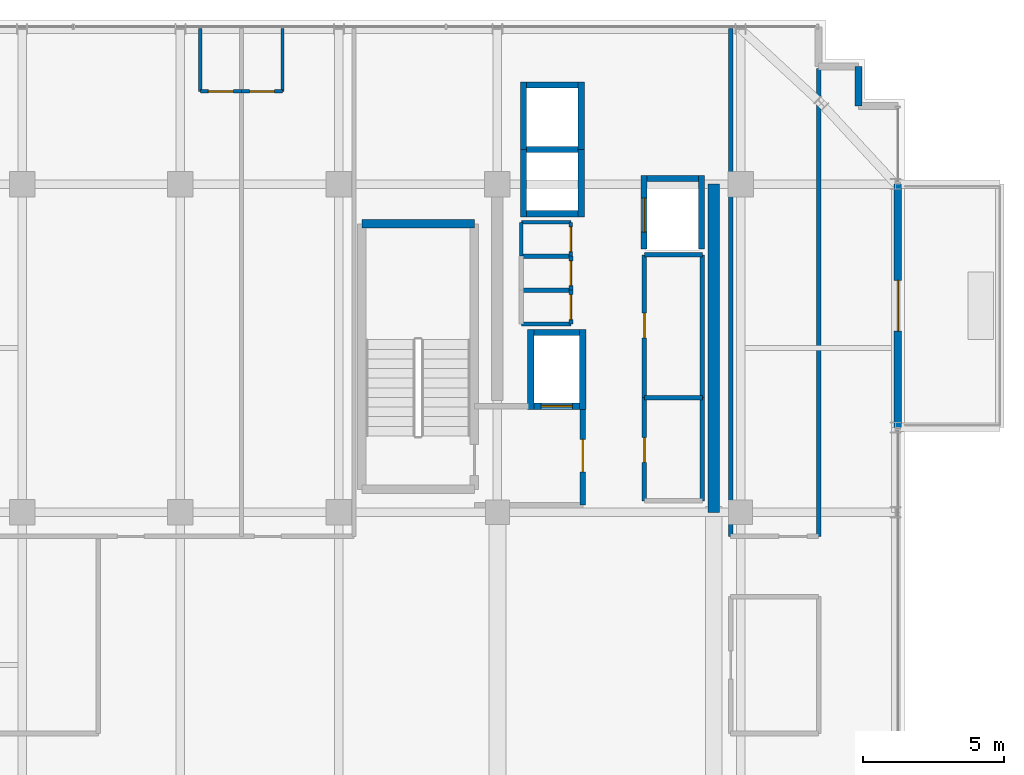
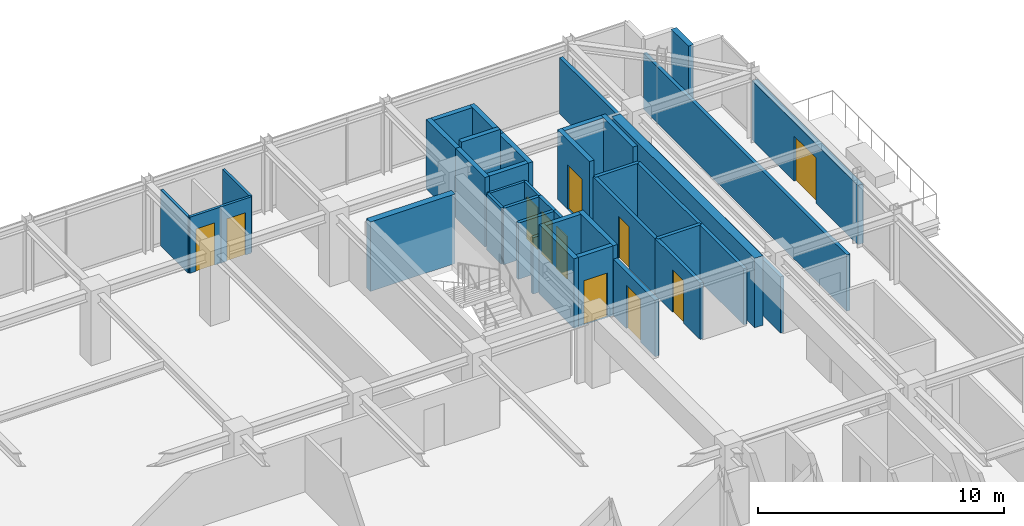
# One storey, part 29 of 33: 39 walls, 11 doors, 11 openings.
"""IFC4 building model written with IfcOpenShell, lengths in metres."""

import ifcopenshell
import ifcopenshell.guid

model = None  # the IFC model being written
_history = None  # IfcOwnerHistory: only IFC2X3 demands one
_inside = {}  # id of a spatial element -> (the spatial element, [elements in it])
_under = {}  # id of a project, library or spatial element -> (it, [spatial elements below it])
_declared = {}  # id of a project -> (the project, [libraries it declares])
_typed = {}  # id of a type object -> (the type object, [elements of that type])
_made_of = {}  # id of a material, layer set ... -> (it, [elements and type objects made of it])


def new_model(schema):
    """Start an empty IFC model of exactly this schema.

    Asked for "IFC4X3", IfcOpenShell would pick the latest addendum, in which some entities
    have other attributes; the version numbers below select the first issue.
    IFC2X3 requires an IfcOwnerHistory on every rooted entity: one is made here for all.
    """
    global model, _history
    if schema == "IFC4X3":
        model = ifcopenshell.file(schema_version=(4, 3, 0, 0))
    else:
        model = ifcopenshell.file(schema=schema)
    _inside.clear()
    _under.clear()
    _declared.clear()
    _typed.clear()
    _made_of.clear()
    _history = None
    if model.schema == "IFC2X3":
        org = make("IfcOrganization", Name="unknown")
        user = make(
            "IfcPersonAndOrganization",
            ThePerson=make("IfcPerson", FamilyName="unknown"),
            TheOrganization=org,
        )
        app = make(
            "IfcApplication",
            ApplicationDeveloper=org,
            Version="unknown",
            ApplicationFullName="unknown",
            ApplicationIdentifier="unknown",
        )
        _history = make(
            "IfcOwnerHistory",
            OwningUser=user,
            OwningApplication=app,
            ChangeAction="ADDED",
            CreationDate=0,
        )
    return model


def make(cls, **values):
    """One entity of the class cls with the attributes given. An attribute that is None is left unset."""
    return model.create_entity(
        cls, **{name: value for name, value in values.items() if value is not None}
    )


def rooted(cls, **values):
    """An entity with a GlobalId (a new one), such as an element, a storey or a relation."""
    return make(cls, GlobalId=ifcopenshell.guid.new(), OwnerHistory=_history, **values)


def si_unit(unit_type, name, prefix=None):
    """IfcSIUnit, for example si_unit("LENGTHUNIT", "METRE", prefix="MILLI")."""
    return make("IfcSIUnit", UnitType=unit_type, Prefix=prefix, Name=name)


def assignment(units):
    """IfcUnitAssignment: the units of a project."""
    return None if units is None else make("IfcUnitAssignment", Units=units)


def point(xyz):
    """IfcCartesianPoint."""
    return None if xyz is None else make("IfcCartesianPoint", Coordinates=xyz)


def direction(xyz):
    """IfcDirection."""
    return None if xyz is None else make("IfcDirection", DirectionRatios=xyz)


def frame(location, z_axis=None, x_axis=None):
    """IfcAxis2Placement3D, a coordinate frame: its origin and axes. An axis left out is left unset."""
    return make(
        "IfcAxis2Placement3D",
        Location=point(location),
        Axis=direction(z_axis),
        RefDirection=direction(x_axis),
    )


def frame_2d(location, x_axis=None):
    """IfcAxis2Placement2D, a coordinate frame in the plane: its origin and x axis."""
    return make(
        "IfcAxis2Placement2D", Location=point(location), RefDirection=direction(x_axis)
    )


def origin():
    """The frame at (0, 0, 0) with its axes left unset."""
    return frame((0.0, 0.0, 0.0))


def place(relative_to, where):
    """IfcLocalPlacement: puts the frame where relative to a parent placement (None: the world)."""
    return make(
        "IfcLocalPlacement", PlacementRelTo=relative_to, RelativePlacement=where
    )


def context(
    kind, dimensions, precision=None, world=None, true_north=None, identifier=None
):
    """IfcGeometricRepresentationContext, for example the 3D "Model" context."""
    return make(
        "IfcGeometricRepresentationContext",
        ContextIdentifier=identifier,
        ContextType=kind,
        CoordinateSpaceDimension=dimensions,
        Precision=precision,
        WorldCoordinateSystem=world,
        TrueNorth=true_north,
    )


def subcontext(parent, identifier, kind, view, scale=None):
    """IfcGeometricRepresentationSubContext, for example "Body" below "Model"."""
    return make(
        "IfcGeometricRepresentationSubContext",
        ContextIdentifier=identifier,
        ContextType=kind,
        ParentContext=parent,
        TargetScale=scale,
        TargetView=view,
    )


def project(units=None, contexts=None):
    """IfcProject with its units and contexts."""
    return rooted(
        "IfcProject",
        Name="project",
        RepresentationContexts=contexts,
        UnitsInContext=assignment(units),
    )


def spatial(cls, under=None, at=None, **own):
    """A site, building, storey or space (cls), placed at a placement, below another one or the project."""
    s = rooted(cls, ObjectPlacement=at, **own)
    if under is not None:
        _under.setdefault(under.id(), (under, []))[1].append(s)
    return s


def profile(cls, at=None, kind="AREA", **sizes):
    """A parametric profile (cls). Its sizes go by their IFC names, for example OverallWidth=200.0."""
    return make(cls, ProfileType=kind, Position=at, **sizes)


def rectangle(**sizes):
    """IfcRectangleProfileDef."""
    return profile("IfcRectangleProfileDef", **sizes)


def extrude(swept, where, along, depth):
    """IfcExtrudedAreaSolid: the profile swept, set in the frame where, extruded along a direction by depth."""
    return make(
        "IfcExtrudedAreaSolid",
        SweptArea=swept,
        Position=where,
        ExtrudedDirection=direction(along),
        Depth=depth,
    )


def shape(context_of_items, identifier, shape_type, items):
    """IfcShapeRepresentation: the items that make up one representation, for example the "Body"."""
    return make(
        "IfcShapeRepresentation",
        ContextOfItems=context_of_items,
        RepresentationIdentifier=identifier,
        RepresentationType=shape_type,
        Items=items,
    )


def source(mapping_origin, context_of_items, identifier, shape_type, items):
    """IfcRepresentationMap: a shape defined once, which mapped items show again and again."""
    return make(
        "IfcRepresentationMap",
        MappingOrigin=mapping_origin,
        MappedRepresentation=shape(context_of_items, identifier, shape_type, items),
    )


def transform(
    local_origin,
    x_axis=None,
    y_axis=None,
    z_axis=None,
    scale=None,
    scale2=None,
    scale3=None,
    uniform=True,
):
    """IfcCartesianTransformationOperator3D, or its non-uniform kind. x_axis, y_axis, z_axis: its Axis1, 2, 3."""
    if uniform:
        return make(
            "IfcCartesianTransformationOperator3D",
            Axis1=direction(x_axis),
            Axis2=direction(y_axis),
            LocalOrigin=point(local_origin),
            Scale=scale,
            Axis3=direction(z_axis),
        )
    return make(
        "IfcCartesianTransformationOperator3DnonUniform",
        Axis1=direction(x_axis),
        Axis2=direction(y_axis),
        LocalOrigin=point(local_origin),
        Scale=scale,
        Axis3=direction(z_axis),
        Scale2=scale2,
        Scale3=scale3,
    )


def mapped(mapping_source, mapping_target):
    """IfcMappedItem: shows the shape of a source again, moved by a transform."""
    return make(
        "IfcMappedItem", MappingSource=mapping_source, MappingTarget=mapping_target
    )


def material(Name=None, Category=None):
    """IfcMaterial."""
    return make("IfcMaterial", Name=Name, Category=Category)


def layer(
    of_material, thickness, ventilated=None, Name=None, Category=None, Priority=None
):
    """IfcMaterialLayer: one layer of a wall or slab, of a material (None: an air gap)."""
    return make(
        "IfcMaterialLayer",
        Material=of_material,
        LayerThickness=thickness,
        IsVentilated=ventilated,
        Name=Name,
        Category=Category,
        Priority=Priority,
    )


def layer_set(layers, Name=None):
    """IfcMaterialLayerSet."""
    return make("IfcMaterialLayerSet", MaterialLayers=layers, LayerSetName=Name)


def made_of(thing, what):
    """Note that an element or type object is made of a material, layer set ...; save() writes the relation."""
    if what is not None:
        _made_of.setdefault(what.id(), (what, []))[1].append(thing)
    return thing


def type_object(cls, material=None, **own):
    """A type object (cls), such as IfcWallType, which elements share."""
    return made_of(rooted(cls, **own), material)


def element(
    cls,
    number,
    at=None,
    inside=None,
    cuts=None,
    type_object=None,
    material=None,
    context=None,
    identifier="Body",
    shape_type=None,
    held_by="IfcProductDefinitionShape",
    body=None,
    shapes=None,
    **own,
):
    """One element of the class cls, such as IfcWall. Its Tag is "e" and its number.

    at: its placement. inside: the storey or other place that contains it. cuts: it is an
    opening in that element (IfcRelVoidsElement). A single representation is given by context,
    identifier, shape_type and body (its items); several are given by shapes. held_by: the class
    of the entity that holds the representations. save() writes the other relations.
    """
    e = rooted(cls, Tag="e%d" % number, ObjectPlacement=at, **own)
    if body is not None:
        shapes = [shape(context, identifier, shape_type, body)]
    if shapes is not None:
        e.Representation = make(held_by, Representations=shapes)
    if inside is not None:
        _inside.setdefault(inside.id(), (inside, []))[1].append(e)
    if cuts is not None:
        rooted(
            "IfcRelVoidsElement", RelatingBuildingElement=cuts, RelatedOpeningElement=e
        )
    if type_object is not None:
        _typed.setdefault(type_object.id(), (type_object, []))[1].append(e)
    return made_of(e, material)


def fill(opening, filler):
    """IfcRelFillsElement: the door or window that sits in an opening."""
    return rooted(
        "IfcRelFillsElement",
        RelatingOpeningElement=opening,
        RelatedBuildingElement=filler,
    )


def aggregate(whole, parts):
    """IfcRelAggregates: a whole, such as a stair, and the parts it consists of."""
    return rooted("IfcRelAggregates", RelatingObject=whole, RelatedObjects=parts)


def save(model, path):
    """Write the relations noted so far, then the file.

    IfcRelAggregates (storeys below a building ...), IfcRelContainedInSpatialStructure (elements
    in a storey), IfcRelDefinesByType, IfcRelAssociatesMaterial and IfcRelDeclares: one each for
    every whole, place, type object, material and project.
    """
    for whole, parts in _under.values():
        aggregate(whole, parts)
    for where, things in _inside.values():
        rooted(
            "IfcRelContainedInSpatialStructure",
            RelatedElements=things,
            RelatingStructure=where,
        )
    for kind, things in _typed.values():
        rooted("IfcRelDefinesByType", RelatedObjects=things, RelatingType=kind)
    for what, things in _made_of.values():
        rooted("IfcRelAssociatesMaterial", RelatedObjects=things, RelatingMaterial=what)
    for by, libraries in _declared.values():
        rooted("IfcRelDeclares", RelatingContext=by, RelatedDefinitions=libraries)
    model.write(path)


model = new_model("IFC4")

# Units and contexts
model_context = context("Model", 3, precision=1e-05, world=origin(), true_north=direction((0.0, 1.0)))
body_context = subcontext(model_context, "Body", "Model", "MODEL_VIEW")
ifc_project = project(units=[si_unit("LENGTHUNIT", "METRE"), si_unit("AREAUNIT", "SQUARE_METRE"), si_unit("VOLUMEUNIT", "CUBIC_METRE"), si_unit("PLANEANGLEUNIT", "RADIAN"), si_unit("MASSUNIT", "GRAM", prefix="KILO")], contexts=[model_context])

# Site, building, storey
site_placement = place(None, origin())
site = spatial("IfcSite", under=ifc_project, at=site_placement, CompositionType="ELEMENT")
building_placement = place(site_placement, origin())
building = spatial("IfcBuilding", under=site, at=building_placement, Name="Nahalor Promenade Grand Hotel", CompositionType="ELEMENT")
storey_placement = place(building_placement, frame((0.0, 0.0, 270.050048828125)))
storey = spatial("IfcBuildingStorey", under=building, at=storey_placement, Name="L69", CompositionType="ELEMENT", Elevation=270.050048828125)

# Walls
ifc_material_1 = material(Name="Concrete B-50 (C40/50)", Category="concrete")
ifc_layer_1 = layer(ifc_material_1, 0.39990234375)
ifc_layer_set_1 = layer_set([ifc_layer_1], Name="Concrete B-50 (C40/50)")
wall_type_1 = type_object("IfcWallType", Name="Wall-CoreShear-400", PredefinedType="SHEAR", material=ifc_layer_set_1)
shared_shape_1 = source(origin(), body_context, "Body", "SweptSolid", [
    extrude(rectangle(XDim=11.60009765625, YDim=0.39990234375, at=frame_2d((5.800048828125, 0.0))), origin(), (0.0, 0.0, 1.0), 3.449951171875),
])
wall_1_placement = place(storey_placement, frame((16.050048828125, 5.39990234375, 0.0), z_axis=(0.0, 0.0, 1.0), x_axis=(0.0, 1.0, 0.0)))
element("IfcWall", 1, at=wall_1_placement, inside=storey, type_object=wall_type_1, Name="CWALL-L69-NE", PredefinedType="SHEAR", context=body_context, shape_type="MappedRepresentation", body=[
    mapped(shared_shape_1, transform((0.0, 0.0, 0.0), scale=1.0)),
])
ifc_layer_2 = layer(ifc_material_1, 0.300048828125)
ifc_layer_set_2 = layer_set([ifc_layer_2], Name="Concrete B-50 (C40/50)")
wall_type_2 = type_object("IfcWallType", Name="Wall-ShaftShear-300", PredefinedType="SHEAR", material=ifc_layer_set_2)
shared_shape_2 = source(origin(), body_context, "Body", "SweptSolid", [
    extrude(rectangle(XDim=3.97998046875, YDim=0.300048828125, at=frame_2d((1.989990234375, 0.0))), origin(), (0.0, 0.0, 1.0), 3.449951171875),
])
wall_2_placement = place(storey_placement, frame((3.610107421875, 15.590087890625, 0.0), z_axis=(0.0, 0.0, 1.0), x_axis=(1.0, 0.0, 0.0)))
element("IfcWall", 2, at=wall_2_placement, inside=storey, type_object=wall_type_2, Name="L69 Exit Stair ST1 Shaft Wall N", PredefinedType="SHEAR", context=body_context, shape_type="MappedRepresentation", body=[
    mapped(shared_shape_2, transform((0.0, 0.0, 0.0), scale=1.0)),
])
ifc_layer_3 = layer(ifc_material_1, 0.219970703125)
ifc_layer_set_3 = layer_set([ifc_layer_3], Name="Concrete B-50 (C40/50)")
wall_type_3 = type_object("IfcWallType", Name="Wall-LiftShaft-220", PredefinedType="SHEAR", material=ifc_layer_set_3)
shared_shape_3 = source(origin(), body_context, "Body", "SweptSolid", [
    extrude(rectangle(XDim=1.820068359375, YDim=0.219970703125, at=frame_2d((0.91015625, 0.0))), origin(), (0.0, 0.0, 1.0), 3.449951171875),
])
for number, where, z_axis, x_axis, name in (
    (3, (9.43994140625, 15.949951171875, 0.0), (0.0, 0.0, 1.0), (1.0, 0.0, 0.0), "L69 Lift OB1 Hoistway Wall S"),
    (4, (9.43994140625, 20.5, 0.0), (0.0, 0.0, 1.0), (1.0, 0.0, 0.0), "L69 Lift OB2 Hoistway Wall N"),
    (5, (13.68994140625, 17.199951171875, 0.0), (0.0, 0.0, 1.0), (1.0, 0.0, 0.0), "L69 Lift SV1 Hoistway Wall N"),
):
    element("IfcWall", number, at=place(storey_placement, frame(where, z_axis=z_axis, x_axis=x_axis)), inside=storey, type_object=wall_type_3, Name=name, PredefinedType="SHEAR", context=body_context, shape_type="MappedRepresentation", body=[
        mapped(shared_shape_3, transform((0.0, 0.0, 0.0), scale=1.0)),
    ])
shared_shape_4 = source(origin(), body_context, "Body", "SweptSolid", [
    extrude(rectangle(XDim=1.820068359375, YDim=0.219970703125, at=frame_2d((0.91015625, 0.0))), origin(), (0.0, 0.0, 1.0), 3.75),
])
wall_3_placement = place(storey_placement, frame((9.43994140625, 18.22509765625, 0.0), z_axis=(0.0, 0.0, 1.0), x_axis=(1.0, 0.0, 0.0)))
element("IfcWall", 6, at=wall_3_placement, inside=storey, type_object=wall_type_3, Name="L69 Lift OB1 Hoistway Wall N", PredefinedType="SHEAR", context=body_context, shape_type="MappedRepresentation", body=[
    mapped(shared_shape_4, transform((0.0, 0.0, 0.0), scale=1.0)),
])
shared_shape_5 = source(origin(), body_context, "Body", "SweptSolid", [
    extrude(rectangle(XDim=2.385009765625, YDim=0.219970703125, at=frame_2d((1.1923828125, 0.0))), origin(), (0.0, 0.0, 1.0), 3.449951171875),
])
for number, where, z_axis, x_axis, name in (
    (7, (9.330078125, 15.840087890625, 0.0), (0.0, 0.0, 1.0), (0.0, 1.0, 0.0), "L69 Lift OB1 Hoistway Wall W"),
    (8, (11.3701171875, 15.840087890625, 0.0), (0.0, 0.0, 1.0), (0.0, 1.0, 0.0), "L69 Lift OB1 Hoistway Wall E"),
    (9, (9.330078125, 18.22509765625, 0.0), (0.0, 0.0, 1.0), (0.0, 1.0, 0.0), "L69 Lift OB2 Hoistway Wall W"),
    (10, (11.3701171875, 18.22509765625, 0.0), (0.0, 0.0, 1.0), (0.0, 1.0, 0.0), "L69 Lift OB2 Hoistway Wall E"),
):
    element("IfcWall", number, at=place(storey_placement, frame(where, z_axis=z_axis, x_axis=x_axis)), inside=storey, type_object=wall_type_3, Name=name, PredefinedType="SHEAR", context=body_context, shape_type="MappedRepresentation", body=[
        mapped(shared_shape_5, transform((0.0, 0.0, 0.0), scale=1.0)),
    ])
shared_shape_6 = source(origin(), body_context, "Body", "SweptSolid", [
    extrude(rectangle(XDim=2.820068359375, YDim=0.219970703125, at=frame_2d((1.41015625, 0.0))), origin(), (0.0, 0.0, 1.0), 3.449951171875),
])
for number, where, z_axis, x_axis, name in (
    (11, (9.580078125, 9.0400390625, 0.0), (0.0, 0.0, 1.0), (0.0, 1.0, 0.0), "L69 Lift FL1 Hoistway Wall W"),
    (12, (11.419921875, 9.0400390625, 0.0), (0.0, 0.0, 1.0), (0.0, 1.0, 0.0), "L69 Lift FL1 Hoistway Wall E"),
):
    element("IfcWall", number, at=place(storey_placement, frame(where, z_axis=z_axis, x_axis=x_axis)), inside=storey, type_object=wall_type_3, Name=name, PredefinedType="SHEAR", context=body_context, shape_type="MappedRepresentation", body=[
        mapped(shared_shape_6, transform((0.0, 0.0, 0.0), scale=1.0)),
    ])

# Wall, opening, door
shared_shape_7 = source(origin(), body_context, "Body", "SweptSolid", [
    extrude(rectangle(XDim=1.6201171875, YDim=0.219970703125, at=frame_2d((0.81005859375, 0.0))), origin(), (0.0, 0.0, 1.0), 3.449951171875),
])
wall_4_placement = place(storey_placement, frame((9.68994140625, 9.14990234375, 0.0), z_axis=(0.0, 0.0, 1.0), x_axis=(1.0, 0.0, 0.0)))
wall_4 = element("IfcWall", 13, at=wall_4_placement, inside=storey, type_object=wall_type_3, Name="L69 Lift FL1 Hoistway Wall S", PredefinedType="SHEAR", context=body_context, shape_type="MappedRepresentation", body=[
    mapped(shared_shape_7, transform((0.0, 0.0, 0.0), scale=1.0)),
])
opening_1_placement = place(wall_4_placement, frame((0.260009765625, 0.0, 0.0)))
opening_1 = element("IfcOpeningElement", 14, at=opening_1_placement, cuts=wall_4, Name="Opening LD-02", PredefinedType="OPENING", context=body_context, shape_type="SweptSolid", body=[
    extrude(rectangle(XDim=1.10009765625, YDim=2.199951171875, at=frame_2d((0.550048828125, 1.10009765625))), frame((0.0, 0.119873046875, 0.0), z_axis=(0.0, -1.0, 0.0), x_axis=(1.0, 0.0, 0.0)), (0.0, 0.0, 1.0), 0.239990234375),
])
ifc_material_2 = material(Name="Steel S355JR", Category="steel")
door_type_1 = type_object("IfcDoorType", Name="Door-LiftFF-1100", OperationType="DOUBLE_DOOR_SLIDING", PredefinedType="DOOR", material=ifc_material_2)
shared_shape_8 = source(origin(), body_context, "Body", "SweptSolid", [
    extrude(rectangle(XDim=1.10009765625, YDim=2.199951171875, at=frame_2d((0.550048828125, 1.10009765625))), frame((0.0, 0.02490234375, 0.0), z_axis=(0.0, -1.0, 0.0), x_axis=(1.0, 0.0, 0.0)), (0.0, 0.0, 1.0), 0.050048828125),
])
door_1_placement = place(opening_1_placement, frame((1.10009765625, 0.0, 0.0), z_axis=(0.0, 0.0, 1.0), x_axis=(-1.0, 0.0, 0.0)))
door_1 = element("IfcDoor", 15, at=door_1_placement, inside=storey, type_object=door_type_1, Name="DR-LIFT-FL1-L69", OperationType="DOUBLE_DOOR_SLIDING", OverallHeight=2.199951171875, OverallWidth=1.10009765625, PredefinedType="DOOR", context=body_context, shape_type="MappedRepresentation", body=[
    mapped(shared_shape_8, transform((0.0, 0.0, 0.0), scale=1.0)),
])
fill(opening_1, door_1)

# Wall
wall_5_placement = place(storey_placement, frame((9.68994140625, 11.75, 0.0), z_axis=(0.0, 0.0, 1.0), x_axis=(1.0, 0.0, 0.0)))
element("IfcWall", 16, at=wall_5_placement, inside=storey, type_object=wall_type_3, Name="L69 Lift FL1 Hoistway Wall N", PredefinedType="SHEAR", context=body_context, shape_type="MappedRepresentation", body=[
    mapped(shared_shape_7, transform((0.0, 0.0, 0.0), scale=1.0)),
])

# Wall, opening, door
shared_shape_9 = source(origin(), body_context, "Body", "SweptSolid", [
    extrude(rectangle(XDim=2.610107421875, YDim=0.219970703125, at=frame_2d((1.30517578125, 0.0))), origin(), (0.0, 0.0, 1.0), 3.449951171875),
])
wall_6_placement = place(storey_placement, frame((13.580078125, 14.699951171875, 0.0), z_axis=(0.0, 0.0, 1.0), x_axis=(0.0, 1.0, 0.0)))
wall_6 = element("IfcWall", 17, at=wall_6_placement, inside=storey, type_object=wall_type_3, Name="L69 Lift SV1 Hoistway Wall W", PredefinedType="SHEAR", context=body_context, shape_type="MappedRepresentation", body=[
    mapped(shared_shape_9, transform((0.0, 0.0, 0.0), scale=1.0)),
])
opening_2_placement = place(wall_6_placement, frame((0.60009765625, 0.0, 0.0)))
opening_2 = element("IfcOpeningElement", 18, at=opening_2_placement, cuts=wall_6, Name="Opening LD-03", PredefinedType="OPENING", context=body_context, shape_type="SweptSolid", body=[
    extrude(rectangle(XDim=1.199951171875, YDim=2.199951171875, at=frame_2d((0.60009765625, 1.10009765625))), frame((0.0, 0.119873046875, 0.0), z_axis=(0.0, -1.0, 0.0), x_axis=(1.0, 0.0, 0.0)), (0.0, 0.0, 1.0), 0.239990234375),
])
door_type_2 = type_object("IfcDoorType", Name="Door-LiftService-1200", OperationType="DOUBLE_DOOR_SLIDING", PredefinedType="DOOR", material=ifc_material_2)
shared_shape_10 = source(origin(), body_context, "Body", "SweptSolid", [
    extrude(rectangle(XDim=1.199951171875, YDim=2.199951171875, at=frame_2d((0.60009765625, 1.10009765625))), frame((0.0, 0.02490234375, 0.0), z_axis=(0.0, -1.0, 0.0), x_axis=(1.0, 0.0, 0.0)), (0.0, 0.0, 1.0), 0.050048828125),
])
door_2_placement = place(opening_2_placement, origin())
door_2 = element("IfcDoor", 19, at=door_2_placement, inside=storey, type_object=door_type_2, Name="DR-LIFT-SV1-L69", OperationType="DOUBLE_DOOR_SLIDING", OverallHeight=2.199951171875, OverallWidth=1.199951171875, PredefinedType="DOOR", context=body_context, shape_type="MappedRepresentation", body=[
    mapped(shared_shape_10, transform((0.0, 0.0, 0.0), scale=1.0)),
])
fill(opening_2, door_2)

# Walls
wall_7_placement = place(storey_placement, frame((15.6201171875, 14.699951171875, 0.0), z_axis=(0.0, 0.0, 1.0), x_axis=(0.0, 1.0, 0.0)))
element("IfcWall", 20, at=wall_7_placement, inside=storey, type_object=wall_type_3, Name="L69 Lift SV1 Hoistway Wall E", PredefinedType="SHEAR", context=body_context, shape_type="MappedRepresentation", body=[
    mapped(shared_shape_9, transform((0.0, 0.0, 0.0), scale=1.0)),
])
ifc_material_3 = material(Name="Concrete B-40 (C32/40)", Category="concrete")
ifc_layer_4 = layer(ifc_material_3, 0.25)
ifc_layer_set_4 = layer_set([ifc_layer_4], Name="Concrete B-40 (C32/40)")
wall_type_4 = type_object("IfcWallType", Name="Wall-BronzePier-250", PredefinedType="STANDARD", material=ifc_layer_set_4)
shared_shape_11 = source(origin(), body_context, "Body", "SweptSolid", [
    extrude(rectangle(XDim=1.39990234375, YDim=0.25, at=frame_2d((0.699951171875, 0.0))), origin(), (0.0, 0.0, 1.0), 3.449951171875),
])
wall_8_placement = place(storey_placement, frame((21.159912109375, 19.760009765625, 0.0), z_axis=(0.0, 0.0, 1.0), x_axis=(0.0, 1.0, 0.0)))
element("IfcWall", 21, at=wall_8_placement, inside=storey, type_object=wall_type_4, Name="W-L69-SR-06", PredefinedType="STANDARD", context=body_context, shape_type="MappedRepresentation", body=[
    mapped(shared_shape_11, transform((0.0, 0.0, 0.0), scale=1.0)),
])

# Wall, opening, door
ifc_layer_5 = layer(ifc_material_3, 0.260009765625)
ifc_layer_set_5 = layer_set([ifc_layer_5], Name="Concrete B-40 (C32/40)")
wall_type_5 = type_object("IfcWallType", Name="Wall-BalconyWall-260", PredefinedType="STANDARD", material=ifc_layer_set_5)
shared_shape_12 = source(origin(), body_context, "Body", "SweptSolid", [
    extrude(rectangle(XDim=8.60009765625, YDim=0.260009765625, at=frame_2d((4.300048828125, 0.0))), origin(), (0.0, 0.0, 1.0), 2.929931640625),
])
wall_9_placement = place(storey_placement, frame((22.56005859375, 8.39990234375, 0.0), z_axis=(0.0, 0.0, 1.0), x_axis=(0.0, 1.0, 0.0)))
wall_9 = element("IfcWall", 22, at=wall_9_placement, inside=storey, type_object=wall_type_5, Name="W-L69-BALC-E-2", PredefinedType="STANDARD", context=body_context, shape_type="MappedRepresentation", body=[
    mapped(shared_shape_12, transform((0.0, 0.0, 0.0), scale=1.0)),
])
opening_3_placement = place(wall_9_placement, frame((3.39990234375, 0.0, 0.0)))
opening_3 = element("IfcOpeningElement", 23, at=opening_3_placement, cuts=wall_9, Name="Opening D-BC1", PredefinedType="OPENING", context=body_context, shape_type="SweptSolid", body=[
    extrude(rectangle(XDim=1.800048828125, YDim=2.25, at=frame_2d((0.89990234375, 1.125))), frame((0.0, 0.139892578125, 0.0), z_axis=(0.0, -1.0, 0.0), x_axis=(1.0, 0.0, 0.0)), (0.0, 0.0, 1.0), 0.280029296875),
])
ifc_material_4 = material(Name="Anodised Bronze Aluminium EN AW-6063 T6", Category="aluminium")
door_type_3 = type_object("IfcDoorType", Name="Door-BalconySlide-1800", OperationType="DOUBLE_DOOR_SLIDING", PredefinedType="DOOR", material=ifc_material_4)
shared_shape_13 = source(origin(), body_context, "Body", "SweptSolid", [
    extrude(rectangle(XDim=1.800048828125, YDim=2.25, at=frame_2d((0.89990234375, 1.125))), frame((0.0, 0.02490234375, 0.0), z_axis=(0.0, -1.0, 0.0), x_axis=(1.0, 0.0, 0.0)), (0.0, 0.0, 1.0), 0.050048828125),
])
door_3_placement = place(opening_3_placement, frame((1.800048828125, 0.0, 0.0), z_axis=(0.0, 0.0, 1.0), x_axis=(-1.0, 0.0, 0.0)))
door_3 = element("IfcDoor", 24, at=door_3_placement, inside=storey, type_object=door_type_3, Name="DR-L69-BALC-E-2", OperationType="DOUBLE_DOOR_SLIDING", OverallHeight=2.25, OverallWidth=1.800048828125, PredefinedType="DOOR", context=body_context, shape_type="MappedRepresentation", body=[
    mapped(shared_shape_13, transform((0.0, 0.0, 0.0), scale=1.0)),
])
fill(opening_3, door_3)

ifc_layer_6 = layer(ifc_material_3, 0.199951171875)
ifc_layer_set_6 = layer_set([ifc_layer_6], Name="Concrete B-40 (C32/40)")
wall_type_6 = type_object("IfcWallType", Name="Wall-PartFire-200", PredefinedType="PARTITIONING", material=ifc_layer_set_6)
shared_shape_14 = source(origin(), body_context, "Body", "SweptSolid", [
    extrude(rectangle(XDim=3.5, YDim=0.199951171875, at=frame_2d((1.75, 0.0))), origin(), (0.0, 0.0, 1.0), 2.7900390625),
])
wall_10_placement = place(storey_placement, frame((11.419921875, 5.64990234375, 0.0), z_axis=(0.0, 0.0, 1.0), x_axis=(0.0, 1.0, 0.0)))
wall_10 = element("IfcWall", 25, at=wall_10_placement, inside=storey, type_object=wall_type_6, Name="W-L69-FF1-E", PredefinedType="PARTITIONING", context=body_context, shape_type="MappedRepresentation", body=[
    mapped(shared_shape_14, transform((0.0, 0.0, 0.0), scale=1.0)),
])
opening_4_placement = place(wall_10_placement, frame((1.175048828125, 0.0, 0.0)))
opening_4 = element("IfcOpeningElement", 26, at=opening_4_placement, cuts=wall_10, Name="Opening D-FF1", PredefinedType="OPENING", context=body_context, shape_type="SweptSolid", body=[
    extrude(rectangle(XDim=1.14990234375, YDim=2.14990234375, at=frame_2d((0.574951171875, 1.074951171875))), frame((0.0, 0.10986328125, 0.0), z_axis=(0.0, -1.0, 0.0), x_axis=(1.0, 0.0, 0.0)), (0.0, 0.0, 1.0), 0.219970703125),
])
door_type_4 = type_object("IfcDoorType", Name="Door-FFLobby-1150", OperationType="NOTDEFINED", PredefinedType="DOOR", material=ifc_material_2)
shared_shape_15 = source(origin(), body_context, "Body", "SweptSolid", [
    extrude(rectangle(XDim=1.14990234375, YDim=2.14990234375, at=frame_2d((0.574951171875, 1.074951171875))), frame((0.0, 0.02490234375, 0.0), z_axis=(0.0, -1.0, 0.0), x_axis=(1.0, 0.0, 0.0)), (0.0, 0.0, 1.0), 0.050048828125),
])
door_4_placement = place(opening_4_placement, frame((1.14990234375, 0.0, 0.0), z_axis=(0.0, 0.0, 1.0), x_axis=(-1.0, 0.0, 0.0)))
door_4 = element("IfcDoor", 27, at=door_4_placement, inside=storey, type_object=door_type_4, Name="DR-L69-FFL1", OperationType="SINGLE_SWING_RIGHT", OverallHeight=2.14990234375, OverallWidth=1.14990234375, PredefinedType="DOOR", context=body_context, shape_type="MappedRepresentation", body=[
    mapped(shared_shape_15, transform((0.0, 0.0, 0.0), scale=1.0)),
])
fill(opening_4, door_4)

# Walls
ifc_material_5 = material(Name="Acoustic Mineral Gypsum", Category="gypsum")
ifc_layer_7 = layer(ifc_material_5, 0.14990234375)
ifc_layer_set_7 = layer_set([ifc_layer_7], Name="Acoustic Mineral Gypsum")
wall_type_7 = type_object("IfcWallType", Name="Wall-PartService-150", PredefinedType="PARTITIONING", material=ifc_layer_set_7)
shared_shape_16 = source(origin(), body_context, "Body", "SweptSolid", [
    extrude(rectangle(XDim=1.75, YDim=0.14990234375, at=frame_2d((0.875, 0.0))), origin(), (0.0, 0.0, 1.0), 2.7900390625),
])
for number, where, z_axis, x_axis, name in (
    (28, (9.25, 12.050048828125, 0.0), (0.0, 0.0, 1.0), (1.0, 0.0, 0.0), "W-L69-CK3A-S"),
    (29, (9.25, 13.25, 0.0), (0.0, 0.0, 1.0), (1.0, 0.0, 0.0), "W-L69-CK3A-N"),
    (30, (9.25, 14.449951171875, 0.0), (0.0, 0.0, 1.0), (1.0, 0.0, 0.0), "W-L69-CK3B-N"),
):
    element("IfcWall", number, at=place(storey_placement, frame(where, z_axis=z_axis, x_axis=x_axis)), inside=storey, type_object=wall_type_7, Name=name, PredefinedType="PARTITIONING", context=body_context, shape_type="MappedRepresentation", body=[
        mapped(shared_shape_16, transform((0.0, 0.0, 0.0), scale=1.0)),
    ])
ifc_layer_8 = layer(ifc_material_5, 0.1201171875)
ifc_layer_set_8 = layer_set([ifc_layer_8], Name="Acoustic Mineral Gypsum")
wall_type_8 = type_object("IfcWallType", Name="Wall-PartBath-120", PredefinedType="PARTITIONING", material=ifc_layer_set_8)
shared_shape_17 = source(origin(), body_context, "Body", "SweptSolid", [
    extrude(rectangle(XDim=1.75, YDim=0.1201171875, at=frame_2d((0.875, 0.0))), origin(), (0.0, 0.0, 1.0), 2.7900390625),
])
wall_11_placement = place(storey_placement, frame((9.25, 15.64990234375, 0.0), z_axis=(0.0, 0.0, 1.0), x_axis=(1.0, 0.0, 0.0)))
element("IfcWall", 31, at=wall_11_placement, inside=storey, type_object=wall_type_8, Name="W-L69-CK3C-N", PredefinedType="PARTITIONING", context=body_context, shape_type="MappedRepresentation", body=[
    mapped(shared_shape_17, transform((0.0, 0.0, 0.0), scale=1.0)),
])
ifc_layer_9 = layer(ifc_material_5, 0.159912109375)
ifc_layer_set_9 = layer_set([ifc_layer_9], Name="Acoustic Mineral Gypsum")
wall_type_9 = type_object("IfcWallType", Name="Wall-PartCorridor-160", PredefinedType="PARTITIONING", material=ifc_layer_set_9)
shared_shape_18 = source(origin(), body_context, "Body", "SweptSolid", [
    extrude(rectangle(XDim=2.0498046875, YDim=0.159912109375, at=frame_2d((1.02490234375, 0.0))), origin(), (0.0, 0.0, 1.0), 2.7900390625),
])
for number, where, z_axis, x_axis, name in (
    (32, (13.60009765625, 9.449951171875, 0.0), (0.0, 0.0, 1.0), (1.0, 0.0, 0.0), "W-L69-FRB1A-N"),
    (33, (13.60009765625, 14.5, 0.0), (0.0, 0.0, 1.0), (1.0, 0.0, 0.0), "W-L69-FRB1B-N"),
):
    element("IfcWall", number, at=place(storey_placement, frame(where, z_axis=z_axis, x_axis=x_axis)), inside=storey, type_object=wall_type_9, Name=name, PredefinedType="PARTITIONING", context=body_context, shape_type="MappedRepresentation", body=[
        mapped(shared_shape_18, transform((0.0, 0.0, 0.0), scale=1.0)),
    ])
shared_shape_19 = source(origin(), body_context, "Body", "SweptSolid", [
    extrude(rectangle(XDim=17.949951171875, YDim=0.159912109375, at=frame_2d((8.97509765625, 0.0))), origin(), (0.0, 0.0, 1.0), 2.7900390625),
])
wall_12_placement = place(storey_placement, frame((16.64990234375, 4.550048828125, 0.0), z_axis=(0.0, 0.0, 1.0), x_axis=(0.0, 1.0, 0.0)))
element("IfcWall", 34, at=wall_12_placement, inside=storey, type_object=wall_type_9, Name="W-L69-ENE-W", PredefinedType="PARTITIONING", context=body_context, shape_type="MappedRepresentation", body=[
    mapped(shared_shape_19, transform((0.0, 0.0, 0.0), scale=1.0)),
])
shared_shape_20 = source(origin(), body_context, "Body", "SweptSolid", [
    extrude(rectangle(XDim=16.530029296875, YDim=0.159912109375, at=frame_2d((8.26513671875, 0.0))), origin(), (0.0, 0.0, 1.0), 2.7900390625),
])
wall_13_placement = place(storey_placement, frame((19.760009765625, 4.550048828125, 0.0), z_axis=(0.0, 0.0, 1.0), x_axis=(0.0, 1.0, 0.0)))
element("IfcWall", 35, at=wall_13_placement, inside=storey, type_object=wall_type_9, Name="W-L69-ENE-E", PredefinedType="PARTITIONING", context=body_context, shape_type="MappedRepresentation", body=[
    mapped(shared_shape_20, transform((0.0, 0.0, 0.0), scale=1.0)),
])

# Wall, opening, door
shared_shape_21 = source(origin(), body_context, "Body", "SweptSolid", [
    extrude(rectangle(XDim=1.449951171875, YDim=0.1201171875, at=frame_2d((0.72509765625, 0.0))), origin(), (0.0, 0.0, 1.0), 2.7900390625),
])
wall_14_placement = place(storey_placement, frame((-2.093994140625, 20.280029296875, 0.0), z_axis=(0.0, 0.0, 1.0), x_axis=(1.0, 0.0, 0.0)))
wall_14 = element("IfcWall", 36, at=wall_14_placement, inside=storey, type_object=wall_type_8, Name="W-L69-N1-BH", PredefinedType="PARTITIONING", context=body_context, shape_type="MappedRepresentation", body=[
    mapped(shared_shape_21, transform((0.0, 0.0, 0.0), scale=1.0)),
])
opening_5_placement = place(wall_14_placement, frame((0.284912109375, 0.0, 0.0)))
opening_5 = element("IfcOpeningElement", 37, at=opening_5_placement, cuts=wall_14, Name="Opening D-03", PredefinedType="OPENING", context=body_context, shape_type="SweptSolid", body=[
    extrude(rectangle(XDim=0.8798828125, YDim=2.10009765625, at=frame_2d((0.43994140625, 1.050048828125))), frame((0.0, 0.070068359375, 0.0), z_axis=(0.0, -1.0, 0.0), x_axis=(1.0, 0.0, 0.0)), (0.0, 0.0, 1.0), 0.14013671875),
])
ifc_material_6 = material(Name="Fire-Rated Timber Composite", Category="wood")
door_type_5 = type_object("IfcDoorType", Name="Door-BathSwing-880", OperationType="NOTDEFINED", PredefinedType="DOOR", material=ifc_material_6)
shared_shape_22 = source(origin(), body_context, "Body", "SweptSolid", [
    extrude(rectangle(XDim=0.8798828125, YDim=2.10009765625, at=frame_2d((0.43994140625, 1.050048828125))), frame((0.0, 0.02490234375, 0.0), z_axis=(0.0, -1.0, 0.0), x_axis=(1.0, 0.0, 0.0)), (0.0, 0.0, 1.0), 0.050048828125),
])
door_5_placement = place(opening_5_placement, origin())
door_5 = element("IfcDoor", 38, at=door_5_placement, inside=storey, type_object=door_type_5, Name="DR-L69-N1-BATH", OperationType="SINGLE_SWING_LEFT", OverallHeight=2.10009765625, OverallWidth=0.8798828125, PredefinedType="DOOR", context=body_context, shape_type="MappedRepresentation", body=[
    mapped(shared_shape_22, transform((0.0, 0.0, 0.0), scale=1.0)),
])
fill(opening_5, door_5)

wall_15_placement = place(storey_placement, frame((-0.64404296875, 20.280029296875, 0.0), z_axis=(0.0, 0.0, 1.0), x_axis=(1.0, 0.0, 0.0)))
wall_15 = element("IfcWall", 39, at=wall_15_placement, inside=storey, type_object=wall_type_8, Name="W-L69-N2-BH", PredefinedType="PARTITIONING", context=body_context, shape_type="MappedRepresentation", body=[
    mapped(shared_shape_21, transform((0.0, 0.0, 0.0), scale=1.0)),
])
opening_6_placement = place(wall_15_placement, frame((0.284912109375, 0.0, 0.0)))
opening_6 = element("IfcOpeningElement", 40, at=opening_6_placement, cuts=wall_15, Name="Opening D-03", PredefinedType="OPENING", context=body_context, shape_type="SweptSolid", body=[
    extrude(rectangle(XDim=0.8798828125, YDim=2.10009765625, at=frame_2d((0.43994140625, 1.050048828125))), frame((0.0, 0.070068359375, 0.0), z_axis=(0.0, -1.0, 0.0), x_axis=(1.0, 0.0, 0.0)), (0.0, 0.0, 1.0), 0.14013671875),
])
door_6_placement = place(opening_6_placement, origin())
door_6 = element("IfcDoor", 41, at=door_6_placement, inside=storey, type_object=door_type_5, Name="DR-L69-N2-BATH", OperationType="SINGLE_SWING_LEFT", OverallHeight=2.10009765625, OverallWidth=0.8798828125, PredefinedType="DOOR", context=body_context, shape_type="MappedRepresentation", body=[
    mapped(shared_shape_22, transform((0.0, 0.0, 0.0), scale=1.0)),
])
fill(opening_6, door_6)

# Walls
shared_shape_23 = source(origin(), body_context, "Body", "SweptSolid", [
    extrude(rectangle(XDim=2.219970703125, YDim=0.1201171875, at=frame_2d((1.10986328125, 0.0))), origin(), (0.0, 0.0, 1.0), 2.7900390625),
])
for number, where, z_axis, x_axis, name in (
    (42, (-2.093994140625, 20.280029296875, 0.0), (0.0, 0.0, 1.0), (0.0, 1.0, 0.0), "W-L69-N1-BV"),
    (43, (0.805908203125, 20.280029296875, 0.0), (0.0, 0.0, 1.0), (0.0, 1.0, 0.0), "W-L69-N2-BV"),
):
    element("IfcWall", number, at=place(storey_placement, frame(where, z_axis=z_axis, x_axis=x_axis)), inside=storey, type_object=wall_type_8, Name=name, PredefinedType="PARTITIONING", context=body_context, shape_type="MappedRepresentation", body=[
        mapped(shared_shape_23, transform((0.0, 0.0, 0.0), scale=1.0)),
    ])

# Wall, opening, door
shared_shape_24 = source(origin(), body_context, "Body", "SweptSolid", [
    extrude(rectangle(XDim=1.199951171875, YDim=0.14990234375, at=frame_2d((0.60009765625, 0.0))), origin(), (0.0, 0.0, 1.0), 2.7900390625),
])
wall_16_placement = place(storey_placement, frame((11.0, 12.050048828125, 0.0), z_axis=(0.0, 0.0, 1.0), x_axis=(0.0, 1.0, 0.0)))
wall_16 = element("IfcWall", 44, at=wall_16_placement, inside=storey, type_object=wall_type_7, Name="W-L69-CK3A-E", PredefinedType="PARTITIONING", context=body_context, shape_type="MappedRepresentation", body=[
    mapped(shared_shape_24, transform((0.0, 0.0, 0.0), scale=1.0)),
])
opening_7_placement = place(wall_16_placement, frame((0.159912109375, 0.0, 0.0)))
opening_7 = element("IfcOpeningElement", 45, at=opening_7_placement, cuts=wall_16, Name="Opening D-03", PredefinedType="OPENING", context=body_context, shape_type="SweptSolid", body=[
    extrude(rectangle(XDim=0.8798828125, YDim=2.10009765625, at=frame_2d((0.43994140625, 1.050048828125))), frame((0.0, 0.0849609375, 0.0), z_axis=(0.0, -1.0, 0.0), x_axis=(1.0, 0.0, 0.0)), (0.0, 0.0, 1.0), 0.169921875),
])
door_7_placement = place(opening_7_placement, origin())
door_7 = element("IfcDoor", 46, at=door_7_placement, inside=storey, type_object=door_type_5, Name="DR-L69-CK3A", OperationType="SINGLE_SWING_RIGHT", OverallHeight=2.10009765625, OverallWidth=0.8798828125, PredefinedType="DOOR", context=body_context, shape_type="MappedRepresentation", body=[
    mapped(shared_shape_22, transform((0.0, 0.0, 0.0), scale=1.0)),
])
fill(opening_7, door_7)

wall_17_placement = place(storey_placement, frame((11.0, 13.25, 0.0), z_axis=(0.0, 0.0, 1.0), x_axis=(0.0, 1.0, 0.0)))
wall_17 = element("IfcWall", 47, at=wall_17_placement, inside=storey, type_object=wall_type_7, Name="W-L69-CK3B-E", PredefinedType="PARTITIONING", context=body_context, shape_type="MappedRepresentation", body=[
    mapped(shared_shape_24, transform((0.0, 0.0, 0.0), scale=1.0)),
])
opening_8_placement = place(wall_17_placement, frame((0.159912109375, 0.0, 0.0)))
opening_8 = element("IfcOpeningElement", 48, at=opening_8_placement, cuts=wall_17, Name="Opening D-03", PredefinedType="OPENING", context=body_context, shape_type="SweptSolid", body=[
    extrude(rectangle(XDim=0.8798828125, YDim=2.10009765625, at=frame_2d((0.43994140625, 1.050048828125))), frame((0.0, 0.0849609375, 0.0), z_axis=(0.0, -1.0, 0.0), x_axis=(1.0, 0.0, 0.0)), (0.0, 0.0, 1.0), 0.169921875),
])
door_8_placement = place(opening_8_placement, origin())
door_8 = element("IfcDoor", 49, at=door_8_placement, inside=storey, type_object=door_type_5, Name="DR-L69-CK3B", OperationType="SINGLE_SWING_LEFT", OverallHeight=2.10009765625, OverallWidth=0.8798828125, PredefinedType="DOOR", context=body_context, shape_type="MappedRepresentation", body=[
    mapped(shared_shape_22, transform((0.0, 0.0, 0.0), scale=1.0)),
])
fill(opening_8, door_8)

# Wall
shared_shape_25 = source(origin(), body_context, "Body", "SweptSolid", [
    extrude(rectangle(XDim=1.199951171875, YDim=0.1201171875, at=frame_2d((0.60009765625, 0.0))), origin(), (0.0, 0.0, 1.0), 2.7900390625),
])
wall_18_placement = place(storey_placement, frame((9.25, 14.449951171875, 0.0), z_axis=(0.0, 0.0, 1.0), x_axis=(0.0, 1.0, 0.0)))
element("IfcWall", 50, at=wall_18_placement, inside=storey, type_object=wall_type_8, Name="W-L69-CK3C-W", PredefinedType="PARTITIONING", context=body_context, shape_type="MappedRepresentation", body=[
    mapped(shared_shape_25, transform((0.0, 0.0, 0.0), scale=1.0)),
])

# Wall, opening, door
wall_19_placement = place(storey_placement, frame((11.0, 14.449951171875, 0.0), z_axis=(0.0, 0.0, 1.0), x_axis=(0.0, 1.0, 0.0)))
wall_19 = element("IfcWall", 51, at=wall_19_placement, inside=storey, type_object=wall_type_8, Name="W-L69-CK3C-E", PredefinedType="PARTITIONING", context=body_context, shape_type="MappedRepresentation", body=[
    mapped(shared_shape_25, transform((0.0, 0.0, 0.0), scale=1.0)),
])
opening_9_placement = place(wall_19_placement, frame((0.159912109375, 0.0, 0.0)))
opening_9 = element("IfcOpeningElement", 52, at=opening_9_placement, cuts=wall_19, Name="Opening D-03", PredefinedType="OPENING", context=body_context, shape_type="SweptSolid", body=[
    extrude(rectangle(XDim=0.8798828125, YDim=2.10009765625, at=frame_2d((0.43994140625, 1.050048828125))), frame((0.0, 0.070068359375, 0.0), z_axis=(0.0, -1.0, 0.0), x_axis=(1.0, 0.0, 0.0)), (0.0, 0.0, 1.0), 0.14013671875),
])
door_9_placement = place(opening_9_placement, origin())
door_9 = element("IfcDoor", 53, at=door_9_placement, inside=storey, type_object=door_type_5, Name="DR-L69-CK3C", OperationType="SINGLE_SWING_RIGHT", OverallHeight=2.10009765625, OverallWidth=0.8798828125, PredefinedType="DOOR", context=body_context, shape_type="MappedRepresentation", body=[
    mapped(shared_shape_22, transform((0.0, 0.0, 0.0), scale=1.0)),
])
fill(opening_9, door_9)

shared_shape_26 = source(origin(), body_context, "Body", "SweptSolid", [
    extrude(rectangle(XDim=3.64990234375, YDim=0.159912109375, at=frame_2d((1.824951171875, 0.0))), origin(), (0.0, 0.0, 1.0), 2.7900390625),
])
wall_20_placement = place(storey_placement, frame((13.60009765625, 5.800048828125, 0.0), z_axis=(0.0, 0.0, 1.0), x_axis=(0.0, 1.0, 0.0)))
wall_20 = element("IfcWall", 54, at=wall_20_placement, inside=storey, type_object=wall_type_9, Name="W-L69-FRB1A-W", PredefinedType="PARTITIONING", context=body_context, shape_type="MappedRepresentation", body=[
    mapped(shared_shape_26, transform((0.0, 0.0, 0.0), scale=1.0)),
])
opening_10_placement = place(wall_20_placement, frame((1.360107421875, 0.0, 0.0)))
opening_10 = element("IfcOpeningElement", 55, at=opening_10_placement, cuts=wall_20, Name="Opening D-03", PredefinedType="OPENING", context=body_context, shape_type="SweptSolid", body=[
    extrude(rectangle(XDim=0.8798828125, YDim=2.10009765625, at=frame_2d((0.43994140625, 1.050048828125))), frame((0.0, 0.08984375, 0.0), z_axis=(0.0, -1.0, 0.0), x_axis=(1.0, 0.0, 0.0)), (0.0, 0.0, 1.0), 0.179931640625),
])
door_10_placement = place(opening_10_placement, frame((0.8798828125, 0.0, 0.0), z_axis=(0.0, 0.0, 1.0), x_axis=(-1.0, 0.0, 0.0)))
door_10 = element("IfcDoor", 56, at=door_10_placement, inside=storey, type_object=door_type_5, Name="DR-L69-FRB1A", OperationType="SINGLE_SWING_LEFT", OverallHeight=2.10009765625, OverallWidth=0.8798828125, PredefinedType="DOOR", context=body_context, shape_type="MappedRepresentation", body=[
    mapped(shared_shape_22, transform((0.0, 0.0, 0.0), scale=1.0)),
])
fill(opening_10, door_10)

# Wall
wall_21_placement = place(storey_placement, frame((15.64990234375, 5.800048828125, 0.0), z_axis=(0.0, 0.0, 1.0), x_axis=(0.0, 1.0, 0.0)))
element("IfcWall", 57, at=wall_21_placement, inside=storey, type_object=wall_type_9, Name="W-L69-FRB1A-E", PredefinedType="PARTITIONING", context=body_context, shape_type="MappedRepresentation", body=[
    mapped(shared_shape_26, transform((0.0, 0.0, 0.0), scale=1.0)),
])

# Wall, opening, door
shared_shape_27 = source(origin(), body_context, "Body", "SweptSolid", [
    extrude(rectangle(XDim=5.050048828125, YDim=0.159912109375, at=frame_2d((2.52490234375, 0.0))), origin(), (0.0, 0.0, 1.0), 2.7900390625),
])
wall_22_placement = place(storey_placement, frame((13.60009765625, 9.449951171875, 0.0), z_axis=(0.0, 0.0, 1.0), x_axis=(0.0, 1.0, 0.0)))
wall_22 = element("IfcWall", 58, at=wall_22_placement, inside=storey, type_object=wall_type_9, Name="W-L69-FRB1B-W", PredefinedType="PARTITIONING", context=body_context, shape_type="MappedRepresentation", body=[
    mapped(shared_shape_27, transform((0.0, 0.0, 0.0), scale=1.0)),
])
opening_11_placement = place(wall_22_placement, frame((2.110107421875, 0.0, 0.0)))
opening_11 = element("IfcOpeningElement", 59, at=opening_11_placement, cuts=wall_22, Name="Opening D-03", PredefinedType="OPENING", context=body_context, shape_type="SweptSolid", body=[
    extrude(rectangle(XDim=0.8798828125, YDim=2.10009765625, at=frame_2d((0.43994140625, 1.050048828125))), frame((0.0, 0.08984375, 0.0), z_axis=(0.0, -1.0, 0.0), x_axis=(1.0, 0.0, 0.0)), (0.0, 0.0, 1.0), 0.179931640625),
])
door_11_placement = place(opening_11_placement, frame((0.8798828125, 0.0, 0.0), z_axis=(0.0, 0.0, 1.0), x_axis=(-1.0, 0.0, 0.0)))
door_11 = element("IfcDoor", 60, at=door_11_placement, inside=storey, type_object=door_type_5, Name="DR-L69-FRB1B", OperationType="SINGLE_SWING_RIGHT", OverallHeight=2.10009765625, OverallWidth=0.8798828125, PredefinedType="DOOR", context=body_context, shape_type="MappedRepresentation", body=[
    mapped(shared_shape_22, transform((0.0, 0.0, 0.0), scale=1.0)),
])
fill(opening_11, door_11)

# Wall
wall_23_placement = place(storey_placement, frame((15.64990234375, 9.449951171875, 0.0), z_axis=(0.0, 0.0, 1.0), x_axis=(0.0, 1.0, 0.0)))
element("IfcWall", 61, at=wall_23_placement, inside=storey, type_object=wall_type_9, Name="W-L69-FRB1B-E", PredefinedType="PARTITIONING", context=body_context, shape_type="MappedRepresentation", body=[
    mapped(shared_shape_27, transform((0.0, 0.0, 0.0), scale=1.0)),
])

save(model, "model.ifc")
